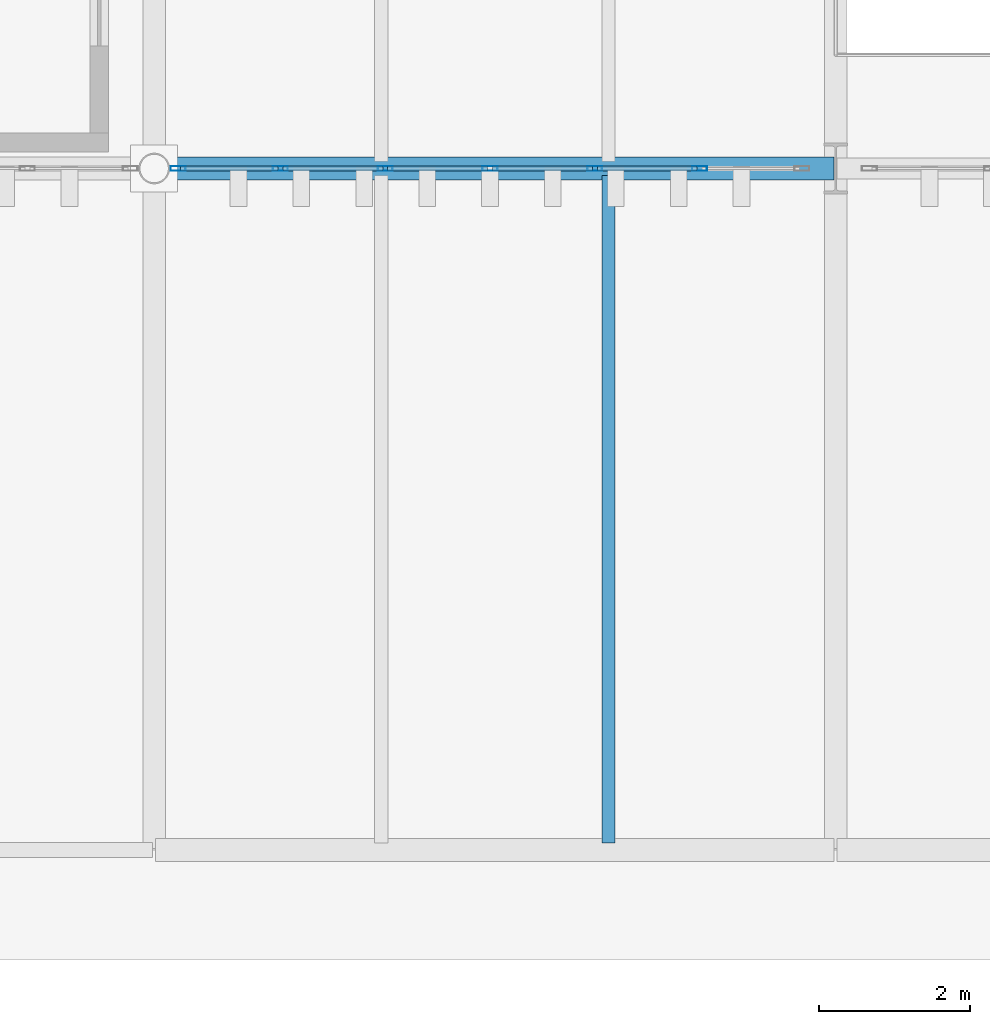
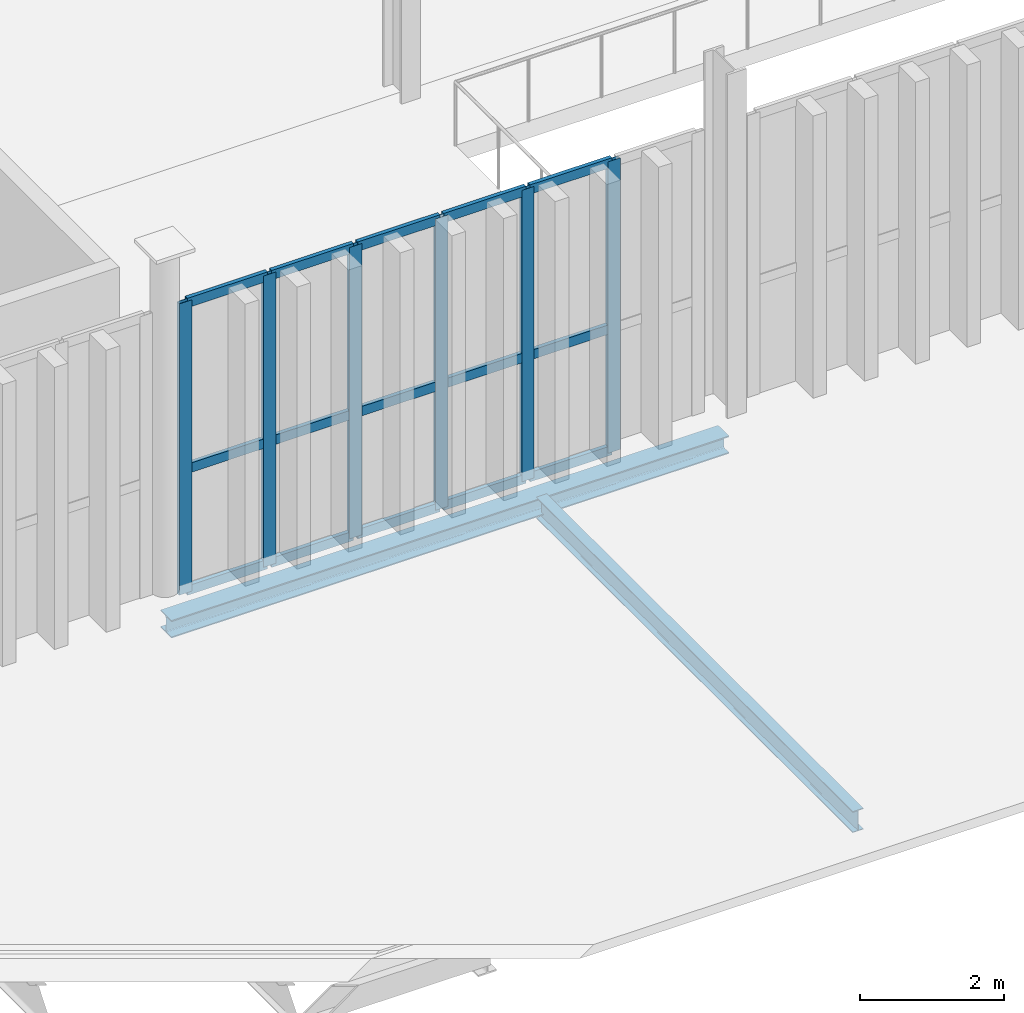
# One storey, part 62 of 211: 21 members, 2 beams, 1 element without a shape of its own.
"""IFC4 building model written with IfcOpenShell, lengths in metres."""

from ifc_helpers import new_model, si_unit, direction, frame, origin, origin_2d, place, context, subcontext, project, spatial, hollow_rectangle, i_section, extrude, material, layer, layer_set, material_profile, profile_set, type_object, element, aggregate, save


model = new_model("IFC4")

# Units and contexts
model_context = context("Model", 3, precision=1e-05, world=origin(), true_north=direction((0.0, 1.0)))
body_context = subcontext(model_context, "Body", "Model", "MODEL_VIEW")
ifc_project = project(units=[si_unit("LENGTHUNIT", "METRE"), si_unit("AREAUNIT", "SQUARE_METRE"), si_unit("VOLUMEUNIT", "CUBIC_METRE"), si_unit("PLANEANGLEUNIT", "RADIAN"), si_unit("MASSUNIT", "GRAM", prefix="KILO")], contexts=[model_context])

# Site, building, storey
site_placement = place(None, origin())
site = spatial("IfcSite", under=ifc_project, at=site_placement, CompositionType="ELEMENT")
building_placement = place(site_placement, origin())
building = spatial("IfcBuilding", under=site, at=building_placement, Name="Barlavento Convention Centre", CompositionType="ELEMENT")
storey_placement = place(building_placement, frame((0.0, 0.0, 6.0)))
storey = spatial("IfcBuildingStorey", under=building, at=storey_placement, Name="L01", CompositionType="ELEMENT", Elevation=6.0)

# Curtain wall, members
ifc_material_1 = material(Name="Powder-coated aluminium and Low-E glass", Category="aluminium")
ifc_layer = layer(ifc_material_1, 0.195068359375)
ifc_layer_set = layer_set([ifc_layer], Name="ARC-CW-FOY-L01")
curtain_wall_type = type_object("IfcCurtainWallType", Name="ARC-CW-FOY-L01", PredefinedType="NOTDEFINED", material=ifc_layer_set)
curtain_wall_placement = place(storey_placement, origin())
curtain_wall = element("IfcCurtainWall", 1, at=curtain_wall_placement, inside=storey, type_object=curtain_wall_type, Name="L01 unitised curtain wall CW03", PredefinedType="NOTDEFINED")
ifc_material_2 = material(Name="Powder-coated aluminium", Category="aluminium")
ifc_material_profile_1 = material_profile(ifc_material_2, hollow_rectangle(XDim=0.06494140625, YDim=0.199951171875, WallThickness=0.0048828125, at=origin_2d()), Name="AL-MULL 65x200x5")
ifc_profile_set_1 = profile_set([ifc_material_profile_1], Name="Powder-coated aluminium")
member_type_1 = type_object("IfcMemberType", Name="ARC-CWM-65X200", PredefinedType="MULLION", material=ifc_profile_set_1)
member_1_placement = place(storey_placement, frame((72.315673828125, 45.0, 0.0), z_axis=(0.0, 0.0, 1.0), x_axis=(0.0, 1.0, 0.0)))
member_1 = element("IfcMember", 2, at=member_1_placement, type_object=member_type_1, Name="CW03 mullion 1", PredefinedType="MULLION", context=body_context, shape_type="SweptSolid", body=[
    extrude(hollow_rectangle(XDim=0.06494140625, YDim=0.199951171875, WallThickness=0.0048828125, at=origin_2d()), origin(), (0.0, 0.0, 1.0), 4.949951171875),
])
member_2_placement = place(storey_placement, frame((73.6669921875, 45.0, 0.0), z_axis=(0.0, 0.0, 1.0), x_axis=(0.0, 1.0, 0.0)))
member_2 = element("IfcMember", 3, at=member_2_placement, type_object=member_type_1, Name="CW03 mullion 2", PredefinedType="MULLION", context=body_context, shape_type="SweptSolid", body=[
    extrude(hollow_rectangle(XDim=0.06494140625, YDim=0.199951171875, WallThickness=0.0048828125, at=origin_2d()), origin(), (0.0, 0.0, 1.0), 4.949951171875),
])
member_3_placement = place(storey_placement, frame((75.05078125, 45.0, 0.0), z_axis=(0.0, 0.0, 1.0), x_axis=(0.0, 1.0, 0.0)))
member_3 = element("IfcMember", 4, at=member_3_placement, type_object=member_type_1, Name="CW03 mullion 3", PredefinedType="MULLION", context=body_context, shape_type="SweptSolid", body=[
    extrude(hollow_rectangle(XDim=0.06494140625, YDim=0.199951171875, WallThickness=0.0048828125, at=origin_2d()), origin(), (0.0, 0.0, 1.0), 4.949951171875),
])
member_4_placement = place(storey_placement, frame((76.4345703125, 45.0, 0.0), z_axis=(0.0, 0.0, 1.0), x_axis=(0.0, 1.0, 0.0)))
member_4 = element("IfcMember", 5, at=member_4_placement, type_object=member_type_1, Name="CW03 mullion 4", PredefinedType="MULLION", context=body_context, shape_type="SweptSolid", body=[
    extrude(hollow_rectangle(XDim=0.06494140625, YDim=0.199951171875, WallThickness=0.0048828125, at=origin_2d()), origin(), (0.0, 0.0, 1.0), 4.949951171875),
])
member_5_placement = place(storey_placement, frame((77.818359375, 45.0, 0.0), z_axis=(0.0, 0.0, 1.0), x_axis=(0.0, 1.0, 0.0)))
member_5 = element("IfcMember", 6, at=member_5_placement, type_object=member_type_1, Name="CW03 mullion 5", PredefinedType="MULLION", context=body_context, shape_type="SweptSolid", body=[
    extrude(hollow_rectangle(XDim=0.06494140625, YDim=0.199951171875, WallThickness=0.0048828125, at=origin_2d()), origin(), (0.0, 0.0, 1.0), 4.949951171875),
])
member_6_placement = place(storey_placement, frame((79.2021484375, 45.0, 0.0), z_axis=(0.0, 0.0, 1.0), x_axis=(0.0, 1.0, 0.0)))
member_6 = element("IfcMember", 7, at=member_6_placement, type_object=member_type_1, Name="CW03 mullion 6", PredefinedType="MULLION", context=body_context, shape_type="SweptSolid", body=[
    extrude(hollow_rectangle(XDim=0.06494140625, YDim=0.199951171875, WallThickness=0.0048828125, at=origin_2d()), origin(), (0.0, 0.0, 1.0), 4.949951171875),
])
ifc_material_profile_2 = material_profile(ifc_material_2, hollow_rectangle(XDim=0.06494140625, YDim=0.159912109375, WallThickness=0.0048828125, at=origin_2d()), Name="AL-TRAN 65x160x5")
ifc_profile_set_2 = profile_set([ifc_material_profile_2], Name="Powder-coated aluminium")
member_type_2 = type_object("IfcMemberType", Name="ARC-CWT-65X160", PredefinedType="USERDEFINED", material=ifc_profile_set_2)
member_7_placement = place(storey_placement, frame((72.34814453125, 45.0, 0.032470703125), z_axis=(1.0, 0.0, 0.0), x_axis=(0.0, 1.0, 0.0)))
member_7 = element("IfcMember", 8, at=member_7_placement, type_object=member_type_2, Name="CW03 transom 1.1", ObjectType="TRANSOM", PredefinedType="USERDEFINED", context=body_context, shape_type="SweptSolid", body=[
    extrude(hollow_rectangle(XDim=0.06494140625, YDim=0.159912109375, WallThickness=0.0048828125, at=origin_2d()), origin(), (0.0, 0.0, 1.0), 1.286376953125),
])
member_8_placement = place(storey_placement, frame((72.34814453125, 45.0, 2.10009765625), z_axis=(1.0, 0.0, 0.0), x_axis=(0.0, 1.0, 0.0)))
member_8 = element("IfcMember", 9, at=member_8_placement, type_object=member_type_2, Name="CW03 transom 1.2", ObjectType="TRANSOM", PredefinedType="USERDEFINED", context=body_context, shape_type="SweptSolid", body=[
    extrude(hollow_rectangle(XDim=0.06494140625, YDim=0.159912109375, WallThickness=0.0048828125, at=origin_2d()), origin(), (0.0, 0.0, 1.0), 1.286376953125),
])
member_9_placement = place(storey_placement, frame((72.34814453125, 45.0, 4.91748046875), z_axis=(1.0, 0.0, 0.0), x_axis=(0.0, 1.0, 0.0)))
member_9 = element("IfcMember", 10, at=member_9_placement, type_object=member_type_2, Name="CW03 transom 1.3", ObjectType="TRANSOM", PredefinedType="USERDEFINED", context=body_context, shape_type="SweptSolid", body=[
    extrude(hollow_rectangle(XDim=0.06494140625, YDim=0.159912109375, WallThickness=0.0048828125, at=origin_2d()), origin(), (0.0, 0.0, 1.0), 1.286376953125),
])
member_10_placement = place(storey_placement, frame((73.699462890625, 45.0, 0.032470703125), z_axis=(1.0, 0.0, 0.0), x_axis=(0.0, 1.0, 0.0)))
member_10 = element("IfcMember", 11, at=member_10_placement, type_object=member_type_2, Name="CW03 transom 2.1", ObjectType="TRANSOM", PredefinedType="USERDEFINED", context=body_context, shape_type="SweptSolid", body=[
    extrude(hollow_rectangle(XDim=0.06494140625, YDim=0.159912109375, WallThickness=0.0048828125, at=origin_2d()), origin(), (0.0, 0.0, 1.0), 1.31884765625),
])
member_11_placement = place(storey_placement, frame((73.699462890625, 45.0, 2.10009765625), z_axis=(1.0, 0.0, 0.0), x_axis=(0.0, 1.0, 0.0)))
member_11 = element("IfcMember", 12, at=member_11_placement, type_object=member_type_2, Name="CW03 transom 2.2", ObjectType="TRANSOM", PredefinedType="USERDEFINED", context=body_context, shape_type="SweptSolid", body=[
    extrude(hollow_rectangle(XDim=0.06494140625, YDim=0.159912109375, WallThickness=0.0048828125, at=origin_2d()), origin(), (0.0, 0.0, 1.0), 1.31884765625),
])
member_12_placement = place(storey_placement, frame((73.699462890625, 45.0, 4.91748046875), z_axis=(1.0, 0.0, 0.0), x_axis=(0.0, 1.0, 0.0)))
member_12 = element("IfcMember", 13, at=member_12_placement, type_object=member_type_2, Name="CW03 transom 2.3", ObjectType="TRANSOM", PredefinedType="USERDEFINED", context=body_context, shape_type="SweptSolid", body=[
    extrude(hollow_rectangle(XDim=0.06494140625, YDim=0.159912109375, WallThickness=0.0048828125, at=origin_2d()), origin(), (0.0, 0.0, 1.0), 1.31884765625),
])
member_13_placement = place(storey_placement, frame((75.083251953125, 45.0, 0.032470703125), z_axis=(1.0, 0.0, 0.0), x_axis=(0.0, 1.0, 0.0)))
member_13 = element("IfcMember", 14, at=member_13_placement, type_object=member_type_2, Name="CW03 transom 3.1", ObjectType="TRANSOM", PredefinedType="USERDEFINED", context=body_context, shape_type="SweptSolid", body=[
    extrude(hollow_rectangle(XDim=0.06494140625, YDim=0.159912109375, WallThickness=0.0048828125, at=origin_2d()), origin(), (0.0, 0.0, 1.0), 1.31884765625),
])
member_14_placement = place(storey_placement, frame((75.083251953125, 45.0, 2.10009765625), z_axis=(1.0, 0.0, 0.0), x_axis=(0.0, 1.0, 0.0)))
member_14 = element("IfcMember", 15, at=member_14_placement, type_object=member_type_2, Name="CW03 transom 3.2", ObjectType="TRANSOM", PredefinedType="USERDEFINED", context=body_context, shape_type="SweptSolid", body=[
    extrude(hollow_rectangle(XDim=0.06494140625, YDim=0.159912109375, WallThickness=0.0048828125, at=origin_2d()), origin(), (0.0, 0.0, 1.0), 1.31884765625),
])
member_15_placement = place(storey_placement, frame((75.083251953125, 45.0, 4.91748046875), z_axis=(1.0, 0.0, 0.0), x_axis=(0.0, 1.0, 0.0)))
member_15 = element("IfcMember", 16, at=member_15_placement, type_object=member_type_2, Name="CW03 transom 3.3", ObjectType="TRANSOM", PredefinedType="USERDEFINED", context=body_context, shape_type="SweptSolid", body=[
    extrude(hollow_rectangle(XDim=0.06494140625, YDim=0.159912109375, WallThickness=0.0048828125, at=origin_2d()), origin(), (0.0, 0.0, 1.0), 1.31884765625),
])
member_16_placement = place(storey_placement, frame((76.467041015625, 45.0, 0.032470703125), z_axis=(1.0, 0.0, 0.0), x_axis=(0.0, 1.0, 0.0)))
member_16 = element("IfcMember", 17, at=member_16_placement, type_object=member_type_2, Name="CW03 transom 4.1", ObjectType="TRANSOM", PredefinedType="USERDEFINED", context=body_context, shape_type="SweptSolid", body=[
    extrude(hollow_rectangle(XDim=0.06494140625, YDim=0.159912109375, WallThickness=0.0048828125, at=origin_2d()), origin(), (0.0, 0.0, 1.0), 1.31884765625),
])
member_17_placement = place(storey_placement, frame((76.467041015625, 45.0, 2.10009765625), z_axis=(1.0, 0.0, 0.0), x_axis=(0.0, 1.0, 0.0)))
member_17 = element("IfcMember", 18, at=member_17_placement, type_object=member_type_2, Name="CW03 transom 4.2", ObjectType="TRANSOM", PredefinedType="USERDEFINED", context=body_context, shape_type="SweptSolid", body=[
    extrude(hollow_rectangle(XDim=0.06494140625, YDim=0.159912109375, WallThickness=0.0048828125, at=origin_2d()), origin(), (0.0, 0.0, 1.0), 1.31884765625),
])
member_18_placement = place(storey_placement, frame((76.467041015625, 45.0, 4.91748046875), z_axis=(1.0, 0.0, 0.0), x_axis=(0.0, 1.0, 0.0)))
member_18 = element("IfcMember", 19, at=member_18_placement, type_object=member_type_2, Name="CW03 transom 4.3", ObjectType="TRANSOM", PredefinedType="USERDEFINED", context=body_context, shape_type="SweptSolid", body=[
    extrude(hollow_rectangle(XDim=0.06494140625, YDim=0.159912109375, WallThickness=0.0048828125, at=origin_2d()), origin(), (0.0, 0.0, 1.0), 1.31884765625),
])
member_19_placement = place(storey_placement, frame((77.850830078125, 45.0, 0.032470703125), z_axis=(1.0, 0.0, 0.0), x_axis=(0.0, 1.0, 0.0)))
member_19 = element("IfcMember", 20, at=member_19_placement, type_object=member_type_2, Name="CW03 transom 5.1", ObjectType="TRANSOM", PredefinedType="USERDEFINED", context=body_context, shape_type="SweptSolid", body=[
    extrude(hollow_rectangle(XDim=0.06494140625, YDim=0.159912109375, WallThickness=0.0048828125, at=origin_2d()), origin(), (0.0, 0.0, 1.0), 1.31884765625),
])
member_20_placement = place(storey_placement, frame((77.850830078125, 45.0, 2.10009765625), z_axis=(1.0, 0.0, 0.0), x_axis=(0.0, 1.0, 0.0)))
member_20 = element("IfcMember", 21, at=member_20_placement, type_object=member_type_2, Name="CW03 transom 5.2", ObjectType="TRANSOM", PredefinedType="USERDEFINED", context=body_context, shape_type="SweptSolid", body=[
    extrude(hollow_rectangle(XDim=0.06494140625, YDim=0.159912109375, WallThickness=0.0048828125, at=origin_2d()), origin(), (0.0, 0.0, 1.0), 1.31884765625),
])
member_21_placement = place(storey_placement, frame((77.850830078125, 45.0, 4.91748046875), z_axis=(1.0, 0.0, 0.0), x_axis=(0.0, 1.0, 0.0)))
member_21 = element("IfcMember", 22, at=member_21_placement, type_object=member_type_2, Name="CW03 transom 5.3", ObjectType="TRANSOM", PredefinedType="USERDEFINED", context=body_context, shape_type="SweptSolid", body=[
    extrude(hollow_rectangle(XDim=0.06494140625, YDim=0.159912109375, WallThickness=0.0048828125, at=origin_2d()), origin(), (0.0, 0.0, 1.0), 1.31884765625),
])
aggregate(curtain_wall, [member_1, member_2, member_3, member_4, member_5, member_6, member_7, member_8, member_9, member_10, member_11, member_12, member_13, member_14, member_15, member_16, member_17, member_18, member_19, member_20, member_21])

# Beams
ifc_material_3 = material(Name="Steel S355", Category="steel")
ifc_material_profile_3 = material_profile(ifc_material_3, i_section(OverallWidth=0.169921875, OverallDepth=0.360107421875, WebThickness=0.008056640625, FlangeThickness=0.0126953125, FilletRadius=0.01806640625, at=origin_2d()), Name="IPE 360")
ifc_profile_set_3 = profile_set([ifc_material_profile_3], Name="Steel S355")
beam_type_1 = type_object("IfcBeamType", Name="STR-BM-JST-IPE360", PredefinedType="JOIST", material=ifc_profile_set_3)
beam_1_placement = place(storey_placement, frame((78.0, 36.094970703125, -0.469970703125), z_axis=(0.0, 1.0, 0.0), x_axis=(-1.0, 0.0, 0.0)))
element("IfcBeam", 23, at=beam_1_placement, inside=storey, type_object=beam_type_1, Name="L01 composite floor joist SJ05", PredefinedType="JOIST", context=body_context, shape_type="SweptSolid", body=[
    extrude(i_section(OverallWidth=0.169921875, OverallDepth=0.360107421875, WebThickness=0.008056640625, FlangeThickness=0.0126953125, FilletRadius=0.01806640625, at=origin_2d()), origin(), (0.0, 0.0, 1.0), 8.81005859375),
])
ifc_material_profile_4 = material_profile(ifc_material_3, i_section(OverallWidth=0.300048828125, OverallDepth=0.300048828125, WebThickness=0.010986328125, FlangeThickness=0.01904296875, FilletRadius=0.027099609375, at=origin_2d()), Name="HEB 300")
ifc_profile_set_4 = profile_set([ifc_material_profile_4], Name="Steel S355")
beam_type_2 = type_object("IfcBeamType", Name="STR-BM-PRI-HEB300", PredefinedType="BEAM", material=ifc_profile_set_4)
beam_2_placement = place(storey_placement, frame((72.02001953125, 45.0, -0.43994140625), z_axis=(1.0, 0.0, 0.0), x_axis=(0.0, 1.0, 0.0)))
element("IfcBeam", 24, at=beam_2_placement, inside=storey, type_object=beam_type_2, Name="L01 primary girder BG14", PredefinedType="BEAM", context=body_context, shape_type="SweptSolid", body=[
    extrude(i_section(OverallWidth=0.300048828125, OverallDepth=0.300048828125, WebThickness=0.010986328125, FlangeThickness=0.01904296875, FilletRadius=0.027099609375, at=origin_2d()), origin(), (0.0, 0.0, 1.0), 8.9599609375),
])

save(model, "model.ifc")
